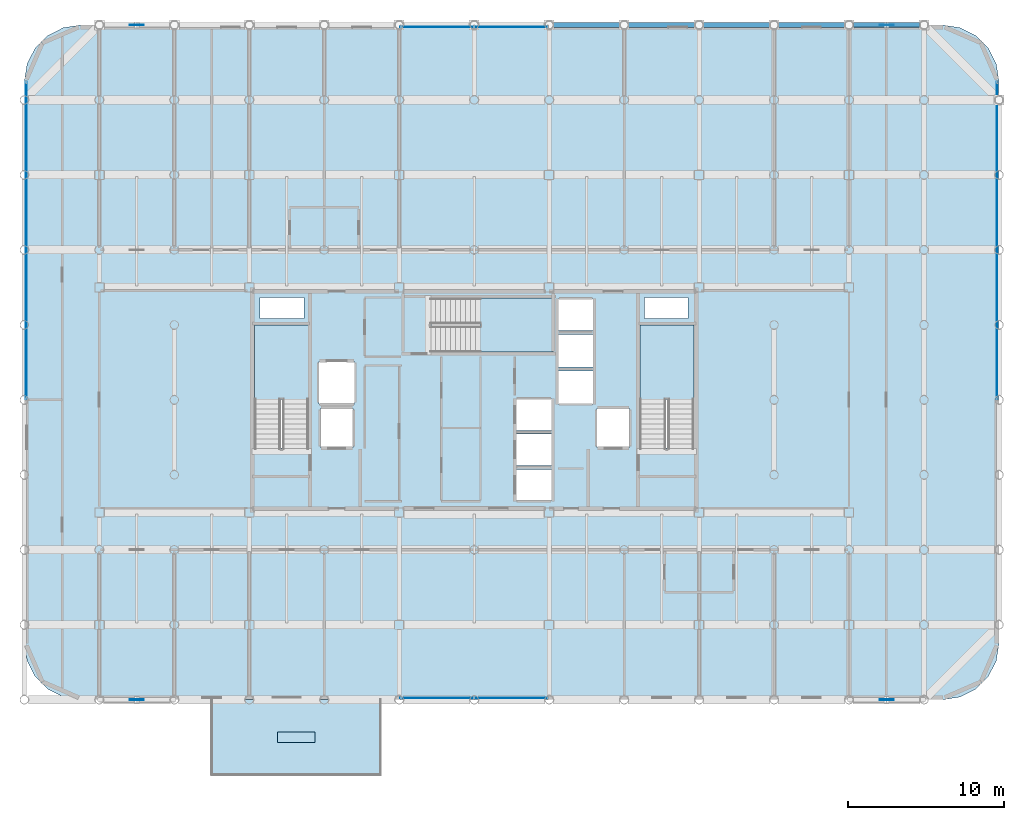
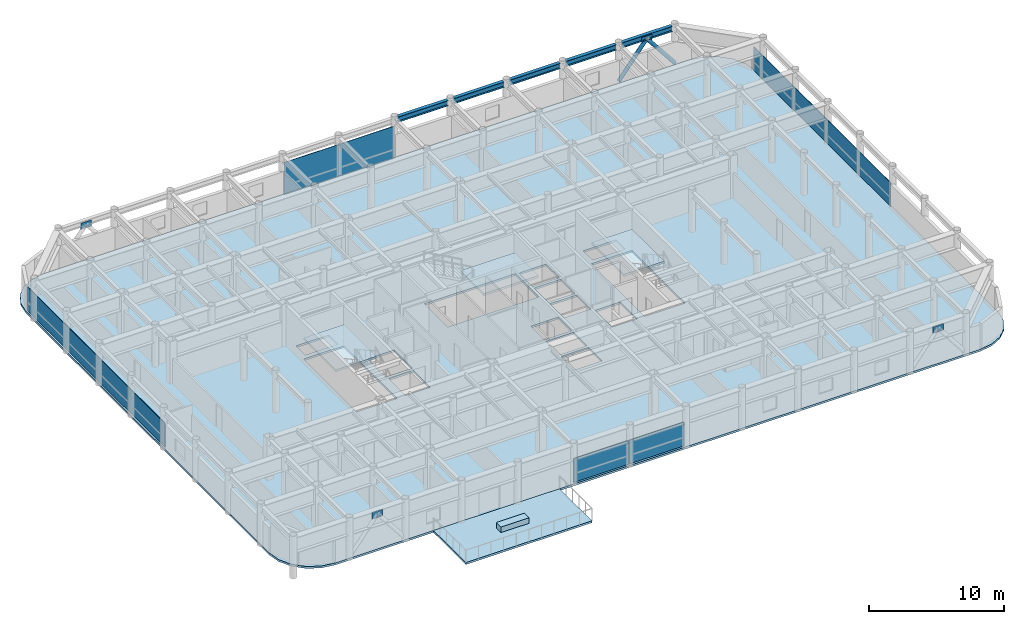
# One storey, part 19 of 26: 11 plates, 5 beams, 5 slabs, 2 members, 7 elements without a shape of their own.
"""IFC4 building model written with IfcOpenShell, lengths in metres."""

from ifc_helpers import new_model, si_unit, direction, frame, origin, origin_2d, place, context, subcontext, project, spatial, polyline, rectangle, hollow_circle, i_section, outline, extrude, material, layer, layer_set, material_profile, profile_set, type_object, element, aggregate, save


model = new_model("IFC4")

# Units and contexts
model_context = context("Model", 3, precision=1e-05, world=origin(), true_north=direction((0.0, 1.0)))
body_context = subcontext(model_context, "Body", "Model", "MODEL_VIEW")
ifc_project = project(units=[si_unit("LENGTHUNIT", "METRE"), si_unit("AREAUNIT", "SQUARE_METRE"), si_unit("VOLUMEUNIT", "CUBIC_METRE"), si_unit("PLANEANGLEUNIT", "RADIAN"), si_unit("MASSUNIT", "GRAM", prefix="KILO")], contexts=[model_context])

# Site, building, storey
site_placement = place(None, origin())
site = spatial("IfcSite", under=ifc_project, at=site_placement, CompositionType="ELEMENT")
building_placement = place(site_placement, origin())
building = spatial("IfcBuilding", under=site, at=building_placement, Name="Kallvorn Hotel Tower", CompositionType="ELEMENT")
storey_placement = place(building_placement, frame((0.0, 0.0, 222.300048828125)))
storey = spatial("IfcBuildingStorey", under=building, at=storey_placement, Name="L55", CompositionType="ELEMENT", Elevation=222.300048828125)

# Beams
ifc_material_1 = material(Name="Structural steel S355JR", Category="steel")
ifc_material_profile_1 = material_profile(ifc_material_1, i_section(OverallWidth=0.300048828125, OverallDepth=0.5, WebThickness=0.014404296875, FlangeThickness=0.028076171875, at=origin_2d()), Name="HE 500 B")
ifc_profile_set_1 = profile_set([ifc_material_profile_1], Name="Structural steel S355JR")
beam_type = type_object("IfcBeamType", Name="BM_HE500B", PredefinedType="SPANDREL", material=ifc_profile_set_1)
beam_1_placement = place(storey_placement, frame((5.069580078125, 24.0, 3.419921875), z_axis=(1.0, 0.0, 0.0), x_axis=(0.0, 1.0, 0.0)))
element("IfcBeam", 1, at=beam_1_placement, inside=storey, type_object=beam_type, Name="L56 Perimeter Spandrel 169", PredefinedType="SPANDREL", context=body_context, shape_type="SweptSolid", body=[
    extrude(i_section(OverallWidth=0.300048828125, OverallDepth=0.5, WebThickness=0.014404296875, FlangeThickness=0.028076171875, at=origin_2d()), origin(), (0.0, 0.0, 1.0), 4.260986328125),
])
beam_2_placement = place(storey_placement, frame((9.869384765625, 24.0, 3.419921875), z_axis=(1.0, 0.0, 0.0), x_axis=(0.0, 1.0, 0.0)))
element("IfcBeam", 2, at=beam_2_placement, inside=storey, type_object=beam_type, Name="L56 Perimeter Spandrel 170", PredefinedType="SPANDREL", context=body_context, shape_type="SweptSolid", body=[
    extrude(i_section(OverallWidth=0.300048828125, OverallDepth=0.5, WebThickness=0.014404296875, FlangeThickness=0.028076171875, at=origin_2d()), origin(), (0.0, 0.0, 1.0), 4.26123046875),
])
for number, where, z_axis, x_axis, name in (
    (3, (14.66943359375, 24.0, 3.419921875), (1.0, 0.0, 0.0), (0.0, 1.0, 0.0), "L56 Perimeter Spandrel 171"),
    (4, (19.469482421875, 24.0, 3.419921875), (1.0, 0.0, 0.0), (0.0, 1.0, 0.0), "L56 Perimeter Spandrel 172"),
    (5, (24.26953125, 24.0, 3.419921875), (1.0, 0.0, 0.0), (0.0, 1.0, 0.0), "L56 Perimeter Spandrel 173"),
):
    element("IfcBeam", number, at=place(storey_placement, frame(where, z_axis=z_axis, x_axis=x_axis)), inside=storey, type_object=beam_type, Name=name, PredefinedType="SPANDREL", context=body_context, shape_type="SweptSolid", body=[
        extrude(i_section(OverallWidth=0.300048828125, OverallDepth=0.5, WebThickness=0.014404296875, FlangeThickness=0.028076171875, at=origin_2d()), origin(), (0.0, 0.0, 1.0), 4.260986328125),
    ])

# Members
ifc_material_2 = material(Name="Structural steel S355J2H", Category="steel")
ifc_material_profile_2 = material_profile(ifc_material_2, hollow_circle(Radius=0.161865234375, WallThickness=0.012451171875, at=origin_2d()), Name="CHS 323.9x12.5")
ifc_profile_set_2 = profile_set([ifc_material_profile_2], Name="Structural steel S355J2H")
member_type = type_object("IfcMemberType", Name="MBR_EXO_CHS323", PredefinedType="BRACE", material=ifc_profile_set_2)
for number, where, z_axis, x_axis, name in (
    (6, (24.012451171875, 24.0, 0.195556640625), (0.62089744796, 0.0, 0.783891803196), (0.0, 1.0, 0.0), "L55 Exoskeleton K-Brace N2A"),
    (7, (28.78759765625, 24.0, 0.195556640625), (-0.62089744796, 0.0, 0.783891803196), (0.0, -1.0, 0.0), "L55 Exoskeleton K-Brace N2B"),
):
    element("IfcMember", number, at=place(storey_placement, frame(where, z_axis=z_axis, x_axis=x_axis)), inside=storey, type_object=member_type, Name=name, PredefinedType="BRACE", context=body_context, shape_type="SweptSolid", body=[
        extrude(hollow_circle(Radius=0.161865234375, WallThickness=0.012451171875, at=origin_2d()), origin(), (0.0, 0.0, 1.0), 3.825439453125),
    ])

# Curtain wall, plates
ifc_material_3 = material(Name="Thermally broken black-anodised aluminium AA 6063-T6", Category="aluminium")
ifc_layer_1 = layer(ifc_material_3, 0.22998046875)
ifc_layer_set_1 = layer_set([ifc_layer_1], Name="CW_SYS_5_HOTEL_HIGH")
curtain_wall_type = type_object("IfcCurtainWallType", Name="CW_SYS_5_HOTEL_HIGH", PredefinedType="USERDEFINED", material=ifc_layer_set_1)
curtain_wall_1_placement = place(storey_placement, origin())
curtain_wall_1 = element("IfcCurtainWall", 8, at=curtain_wall_1_placement, inside=storey, type_object=curtain_wall_type, Name="L55 Dark-Glass Curtain Wall CW-L55-SC", ObjectType="UNITISED CURTAIN WALL", PredefinedType="USERDEFINED")
ifc_material_4 = material(Name="Triple-glazed low-e acoustic solar-control dark glass", Category="glass")
ifc_layer_2 = layer(ifc_material_4, 0.04150390625)
ifc_layer_set_2 = layer_set([ifc_layer_2], Name="CW_SYS_5_HOTEL_HIGH_PANEL")
plate_type_1 = type_object("IfcPlateType", Name="CW_SYS_5_HOTEL_HIGH_PANEL", PredefinedType="CURTAIN_PANEL", material=ifc_layer_set_2)
plate_1_placement = place(storey_placement, frame((-2.375, -19.080078125, 0.06005859375), z_axis=(0.0, 0.0, 1.0), x_axis=(1.0, 0.0, 0.0)))
plate_1 = element("IfcPlate", 9, at=plate_1_placement, type_object=plate_type_1, Name="CW-L55-SC Vision Glass Panel 00", PredefinedType="CURTAIN_PANEL", context=body_context, shape_type="SweptSolid", body=[
    extrude(rectangle(XDim=4.68994140625, YDim=0.04150390625, at=origin_2d()), origin(), (0.0, 0.0, 1.0), 2.14990234375),
])
plate_2_placement = place(storey_placement, frame((2.375, -19.080078125, 0.06005859375), z_axis=(0.0, 0.0, 1.0), x_axis=(1.0, 0.0, 0.0)))
plate_2 = element("IfcPlate", 10, at=plate_2_placement, type_object=plate_type_1, Name="CW-L55-SC Vision Glass Panel 01", PredefinedType="CURTAIN_PANEL", context=body_context, shape_type="SweptSolid", body=[
    extrude(rectangle(XDim=4.68994140625, YDim=0.04150390625, at=origin_2d()), origin(), (0.0, 0.0, 1.0), 2.14990234375),
])
aggregate(curtain_wall_1, [plate_1, plate_2])

curtain_wall_2_placement = place(storey_placement, origin())
curtain_wall_2 = element("IfcCurtainWall", 11, at=curtain_wall_2_placement, inside=storey, type_object=curtain_wall_type, Name="L55 Dark-Glass Curtain Wall CW-L55-NC", ObjectType="UNITISED CURTAIN WALL", PredefinedType="USERDEFINED")
plate_3_placement = place(storey_placement, frame((-2.375, 23.8798828125, 0.06005859375), z_axis=(0.0, 0.0, 1.0), x_axis=(1.0, 0.0, 0.0)))
plate_3 = element("IfcPlate", 12, at=plate_3_placement, type_object=plate_type_1, Name="CW-L55-NC Vision Glass Panel 00", PredefinedType="CURTAIN_PANEL", context=body_context, shape_type="SweptSolid", body=[
    extrude(rectangle(XDim=4.68994140625, YDim=0.04150390625, at=origin_2d()), origin(), (0.0, 0.0, 1.0), 2.89990234375),
])
plate_4_placement = place(storey_placement, frame((2.375, 23.8798828125, 0.06005859375), z_axis=(0.0, 0.0, 1.0), x_axis=(1.0, 0.0, 0.0)))
plate_4 = element("IfcPlate", 13, at=plate_4_placement, type_object=plate_type_1, Name="CW-L55-NC Vision Glass Panel 01", PredefinedType="CURTAIN_PANEL", context=body_context, shape_type="SweptSolid", body=[
    extrude(rectangle(XDim=4.68994140625, YDim=0.04150390625, at=origin_2d()), origin(), (0.0, 0.0, 1.0), 2.89990234375),
])
aggregate(curtain_wall_2, [plate_3, plate_4])

# Curtain wall, plate
curtain_wall_3_placement = place(storey_placement, origin())
curtain_wall_3 = element("IfcCurtainWall", 14, at=curtain_wall_3_placement, inside=storey, type_object=curtain_wall_type, Name="L55 Dark-Glass Curtain Wall CW-L55-WN", ObjectType="UNITISED CURTAIN WALL", PredefinedType="USERDEFINED")
plate_5_placement = place(storey_placement, frame((-28.679931640625, 10.2099609375, 0.06005859375), z_axis=(0.0, 0.0, 1.0), x_axis=(0.0, 1.0, 0.0)))
plate_5 = element("IfcPlate", 15, at=plate_5_placement, type_object=plate_type_1, Name="CW-L55-WN Vision Glass Panel 00", PredefinedType="CURTAIN_PANEL", context=body_context, shape_type="SweptSolid", body=[
    extrude(rectangle(XDim=20.320068359375, YDim=0.04150390625, at=origin_2d()), origin(), (0.0, 0.0, 1.0), 2.14990234375),
])
aggregate(curtain_wall_3, [plate_5])

curtain_wall_4_placement = place(storey_placement, origin())
curtain_wall_4 = element("IfcCurtainWall", 16, at=curtain_wall_4_placement, inside=storey, type_object=curtain_wall_type, Name="L55 Dark-Glass Curtain Wall CW-L55-EN", ObjectType="UNITISED CURTAIN WALL", PredefinedType="USERDEFINED")
plate_6_placement = place(storey_placement, frame((33.47998046875, 10.2099609375, 0.06005859375), z_axis=(0.0, 0.0, 1.0), x_axis=(0.0, 1.0, 0.0)))
plate_6 = element("IfcPlate", 17, at=plate_6_placement, type_object=plate_type_1, Name="CW-L55-EN Vision Glass Panel 00", PredefinedType="CURTAIN_PANEL", context=body_context, shape_type="SweptSolid", body=[
    extrude(rectangle(XDim=20.320068359375, YDim=0.04150390625, at=origin_2d()), origin(), (0.0, 0.0, 1.0), 2.14990234375),
])
aggregate(curtain_wall_4, [plate_6])

# Plates
ifc_material_5 = material(Name="Structural steel S355JR", Category="steel")
ifc_layer_3 = layer(ifc_material_5, 0.034912109375)
ifc_layer_set_3 = layer_set([ifc_layer_3], Name="PLT_GUSSET_35")
plate_type_2 = type_object("IfcPlateType", Name="PLT_GUSSET_35", PredefinedType="USERDEFINED", material=ifc_layer_set_3)
for number, where, z_axis, x_axis, name in (
    (18, (-21.60009765625, -19.199951171875, 2.889892578125), (0.0, 0.0, 1.0), (1.0, 0.0, 0.0), "L55 Exoskeleton Node Gusset S1"),
    (19, (26.39990234375, -19.199951171875, 2.889892578125), (0.0, 0.0, 1.0), (1.0, 0.0, 0.0), "L55 Exoskeleton Node Gusset S2"),
    (20, (-21.60009765625, 24.0, 2.889892578125), (0.0, 0.0, 1.0), (1.0, 0.0, 0.0), "L55 Exoskeleton Node Gusset N1"),
    (21, (26.39990234375, 24.0, 2.889892578125), (0.0, 0.0, 1.0), (1.0, 0.0, 0.0), "L55 Exoskeleton Node Gusset N2"),
):
    element("IfcPlate", number, at=place(storey_placement, frame(where, z_axis=z_axis, x_axis=x_axis)), inside=storey, type_object=plate_type_2, Name=name, ObjectType="GUSSET PLATE", PredefinedType="USERDEFINED", context=body_context, shape_type="SweptSolid", body=[
        extrude(rectangle(XDim=0.89990234375, YDim=0.034912109375, at=origin_2d()), origin(), (0.0, 0.0, 1.0), 0.56005859375),
    ])
ifc_material_6 = material(Name="Powder-coated marine-grade aluminium planter trough", Category="aluminium")
ifc_layer_4 = layer(ifc_material_6, 0.0400390625)
ifc_layer_set_4 = layer_set([ifc_layer_4], Name="PLT_PLANTER_TROUGH")
plate_type_3 = type_object("IfcPlateType", Name="PLT_PLANTER_TROUGH", PredefinedType="USERDEFINED", material=ifc_layer_set_4)
plate_7_placement = place(storey_placement, frame((-11.39990234375, -21.60009765625, 0.0), z_axis=(0.0, 0.0, 1.0), x_axis=(1.0, 0.0, 0.0)))
element("IfcPlate", 22, at=plate_7_placement, inside=storey, type_object=plate_type_3, Name="TER-L55-S Step-Off Terrace Planter", ObjectType="FACADE PLANTER TROUGH", PredefinedType="USERDEFINED", context=body_context, shape_type="SweptSolid", body=[
    extrude(rectangle(XDim=2.39990234375, YDim=0.699951171875, at=origin_2d()), origin(), (0.0, 0.0, 1.0), 0.5),
])

# Stair, slab
ifc_material_7 = material(Name="Precast concrete C40/50", Category="concrete")
stair_type = type_object("IfcStairType", Name="STR_CORE_DOGLEG", PredefinedType="HALF_TURN_STAIR", material=ifc_material_7)
stair_1_placement = place(storey_placement, origin())
stair_1 = element("IfcStair", 23, at=stair_1_placement, inside=storey, type_object=stair_type, Name="L55 Exit stair ST1", PredefinedType="HALF_TURN_STAIR")
ifc_material_8 = material(Name="Precast concrete C40/50", Category="concrete")
ifc_layer_5 = layer(ifc_material_8, 0.179931640625)
ifc_layer_set_5 = layer_set([ifc_layer_5], Name="SLB_LANDING_180")
slab_type_1 = type_object("IfcSlabType", Name="SLB_LANDING_180", PredefinedType="LANDING", material=ifc_layer_set_5)
slab_1_placement = place(storey_placement, frame((0.0, 0.0, 1.724853515625)))
slab_1 = element("IfcSlab", 24, at=slab_1_placement, type_object=slab_type_1, Name="ST1 landing 1", PredefinedType="LANDING", context=body_context, shape_type="SweptSolid", body=[
    extrude(outline(polyline([(-10.60009765625, 0.010009765625), (-10.60009765625, 4.800048828125), (-14.06005859375, 4.800048828125), (-14.06005859375, 0.010009765625), (-10.60009765625, 0.010009765625)])), origin(), (0.0, 0.0, 1.0), 0.2001953125),
])
aggregate(stair_1, [slab_1])

stair_2_placement = place(storey_placement, origin())
stair_2 = element("IfcStair", 25, at=stair_2_placement, inside=storey, type_object=stair_type, Name="L55 Exit stair ST2", PredefinedType="HALF_TURN_STAIR")
slab_2_placement = place(storey_placement, frame((0.0, 0.0, 1.724853515625)))
slab_2 = element("IfcSlab", 26, at=slab_2_placement, type_object=slab_type_1, Name="ST2 landing 1", PredefinedType="LANDING", context=body_context, shape_type="SweptSolid", body=[
    extrude(outline(polyline([(14.06005859375, 0.010009765625), (14.06005859375, 4.800048828125), (10.60009765625, 4.800048828125), (10.60009765625, 0.010009765625), (14.06005859375, 0.010009765625)])), origin(), (0.0, 0.0, 1.0), 0.2001953125),
])
aggregate(stair_2, [slab_2])

stair_3_placement = place(storey_placement, origin())
stair_3 = element("IfcStair", 27, at=stair_3_placement, inside=storey, type_object=stair_type, Name="L55 Exit stair ST3", PredefinedType="HALF_TURN_STAIR")
slab_3_placement = place(storey_placement, frame((0.0, 0.0, 1.724853515625)))
slab_3 = element("IfcSlab", 28, at=slab_3_placement, type_object=slab_type_1, Name="ST3 landing 1", PredefinedType="LANDING", context=body_context, shape_type="SweptSolid", body=[
    extrude(outline(polyline([(0.360107421875, 3.050048828125), (5.050048828125, 3.050048828125), (5.050048828125, 6.510009765625), (0.360107421875, 6.510009765625), (0.360107421875, 3.050048828125)])), origin(), (0.0, 0.0, 1.0), 0.2001953125),
])
aggregate(stair_3, [slab_3])

# Slabs
ifc_material_9 = material(Name="Concrete C40/50", Category="concrete")
ifc_layer_6 = layer(ifc_material_9, 0.179931640625)
ifc_layer_set_6 = layer_set([ifc_layer_6], Name="SLB_TERRACE_180")
slab_type_2 = type_object("IfcSlabType", Name="SLB_TERRACE_180", PredefinedType="ROOF", material=ifc_layer_set_6)
slab_4_placement = place(storey_placement, frame((0.0, 0.0, -0.179931640625)))
element("IfcSlab", 29, at=slab_4_placement, inside=storey, type_object=slab_type_2, Name="L55 Jenga Step-Off Garden Terrace TER-L55-S", PredefinedType="ROOF", context=body_context, shape_type="SweptSolid", body=[
    extrude(outline(polyline([(-16.800048828125, -24.0), (-6.0, -24.0), (-6.0, -19.199951171875), (-16.800048828125, -19.199951171875), (-16.800048828125, -24.0)])), origin(), (0.0, 0.0, 1.0), 0.179931640625),
])
ifc_material_10 = material(Name="Concrete C40/50", Category="concrete")
ifc_layer_7 = layer(ifc_material_10, 0.179931640625)
ifc_layer_set_7 = layer_set([ifc_layer_7], Name="SLB_TOWER_180")
slab_type_3 = type_object("IfcSlabType", Name="SLB_TOWER_180", PredefinedType="FLOOR", material=ifc_layer_set_7)
slab_5_placement = place(storey_placement, frame((0.0, 0.0, -0.179931640625)))
element("IfcSlab", 30, at=slab_5_placement, inside=storey, type_object=slab_type_3, Name="L55 Structural Floor Slab", PredefinedType="FLOOR", context=body_context, shape_type="SweptSolid", body=[
    extrude(outline(polyline([(30.0, -19.199951171875), (31.112548828125, -19.023681640625), (32.115966796875, -18.512451171875), (32.91259765625, -17.716064453125), (33.423828125, -16.71240234375), (33.60009765625, -15.60009765625), (33.60009765625, 20.39990234375), (33.423828125, 21.512451171875), (32.91259765625, 22.51611328125), (32.115966796875, 23.3125), (31.112548828125, 23.82373046875), (30.0, 24.0), (-25.199951171875, 24.0), (-26.3125, 23.82373046875), (-27.31591796875, 23.3125), (-28.112548828125, 22.51611328125), (-28.623779296875, 21.512451171875), (-28.800048828125, 20.39990234375), (-28.800048828125, -15.60009765625), (-28.623779296875, -16.71240234375), (-28.112548828125, -17.716064453125), (-27.31591796875, -18.512451171875), (-26.3125, -19.023681640625), (-25.199951171875, -19.199951171875), (30.0, -19.199951171875)]), holes=[polyline([(-10.60009765625, -3.070068359375), (-10.60009765625, 4.800048828125), (-14.06005859375, 4.800048828125), (-14.06005859375, -3.070068359375), (-10.60009765625, -3.070068359375)]), polyline([(14.06005859375, -3.070068359375), (14.06005859375, 4.800048828125), (10.60009765625, 4.800048828125), (10.60009765625, -3.070068359375), (14.06005859375, -3.070068359375)]), polyline([(-2.719970703125, 3.050048828125), (5.050048828125, 3.050048828125), (5.050048828125, 6.510009765625), (-2.719970703125, 6.510009765625), (-2.719970703125, 3.050048828125)]), polyline([(2.64990234375, -6.449951171875), (5.0, -6.449951171875), (5.0, -4.449951171875), (2.64990234375, -4.449951171875), (2.64990234375, -6.449951171875)]), polyline([(2.64990234375, -4.199951171875), (5.0, -4.199951171875), (5.0, -2.199951171875), (2.64990234375, -2.199951171875), (2.64990234375, -4.199951171875)]), polyline([(2.64990234375, -1.949951171875), (5.0, -1.949951171875), (5.0, 0.050048828125), (2.64990234375, 0.050048828125), (2.64990234375, -1.949951171875)]), polyline([(5.35009765625, -0.25), (7.64990234375, -0.25), (7.64990234375, 1.85009765625), (5.35009765625, 1.85009765625), (5.35009765625, -0.25)]), polyline([(5.35009765625, 2.10009765625), (7.64990234375, 2.10009765625), (7.64990234375, 4.199951171875), (5.35009765625, 4.199951171875), (5.35009765625, 2.10009765625)]), polyline([(5.35009765625, 4.449951171875), (7.64990234375, 4.449951171875), (7.64990234375, 6.449951171875), (5.35009765625, 6.449951171875), (5.35009765625, 4.449951171875)]), polyline([(-9.85009765625, -3.050048828125), (-7.75, -3.050048828125), (-7.75, -0.550048828125), (-9.85009765625, -0.550048828125), (-9.85009765625, -3.050048828125)]), polyline([(7.85009765625, -3.050048828125), (9.949951171875, -3.050048828125), (9.949951171875, -0.550048828125), (7.85009765625, -0.550048828125), (7.85009765625, -3.050048828125)]), polyline([(-9.949951171875, -0.25), (-7.64990234375, -0.25), (-7.64990234375, 2.449951171875), (-9.949951171875, 2.449951171875), (-9.949951171875, -0.25)]), polyline([(-13.699951171875, 5.199951171875), (-10.89990234375, 5.199951171875), (-10.89990234375, 6.550048828125), (-13.699951171875, 6.550048828125), (-13.699951171875, 5.199951171875)]), polyline([(10.89990234375, 5.199951171875), (13.699951171875, 5.199951171875), (13.699951171875, 6.550048828125), (10.89990234375, 6.550048828125), (10.89990234375, 5.199951171875)])]), origin(), (0.0, 0.0, 1.0), 0.179931640625),
])

save(model, "model.ifc")
